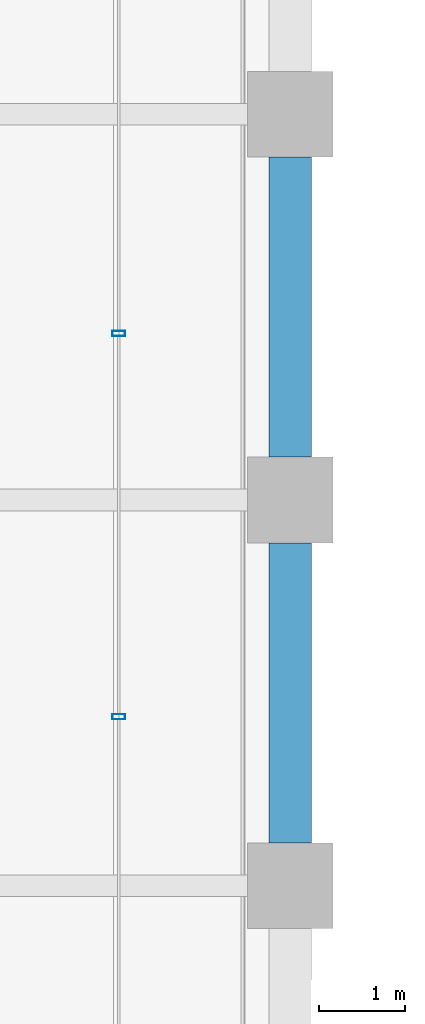
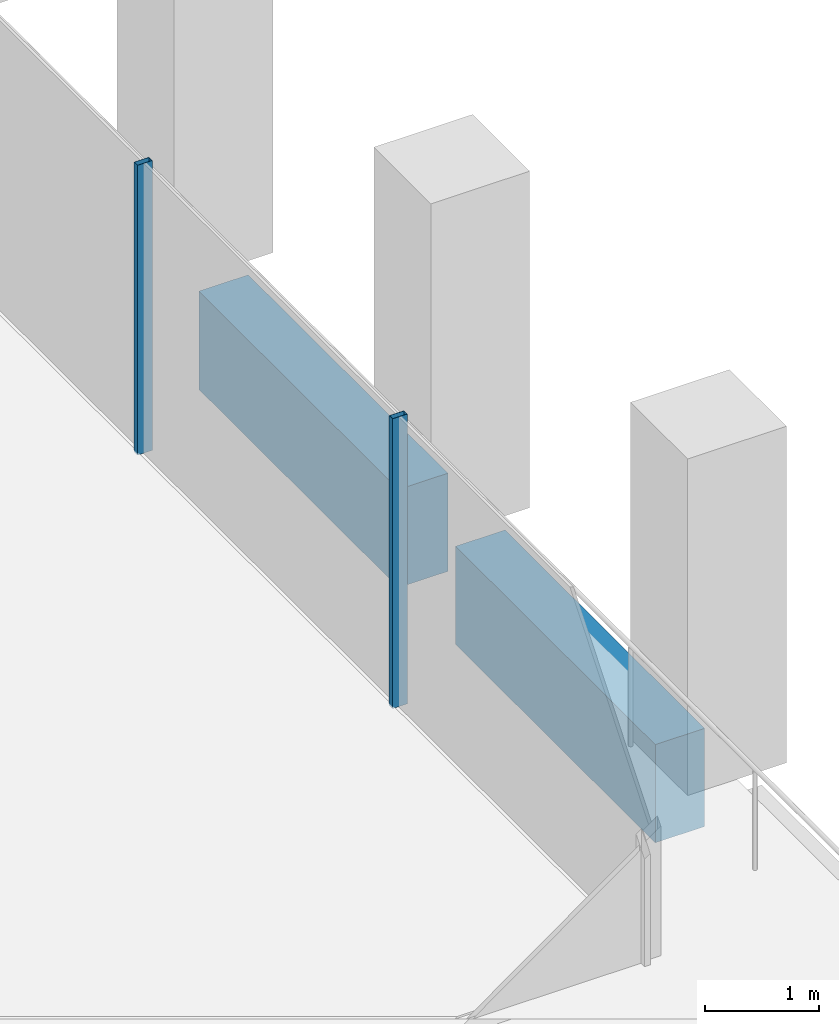
# One storey, part 15 of 46: 2 beams, 2 members, 1 element without a shape of its own.
"""IFC4 building model written with IfcOpenShell, lengths in metres."""

from ifc_helpers import new_model, si_unit, direction, frame, origin, origin_2d, place, context, subcontext, project, spatial, rectangle, hollow_rectangle, extrude, material, material_profile, profile_set, type_object, element, aggregate, save


model = new_model("IFC4")

# Units and contexts
model_context = context("Model", 3, precision=1e-05, world=origin(), true_north=direction((0.0, 1.0)))
body_context = subcontext(model_context, "Body", "Model", "MODEL_VIEW")
ifc_project = project(units=[si_unit("LENGTHUNIT", "METRE"), si_unit("AREAUNIT", "SQUARE_METRE"), si_unit("VOLUMEUNIT", "CUBIC_METRE"), si_unit("PLANEANGLEUNIT", "RADIAN"), si_unit("MASSUNIT", "GRAM", prefix="KILO")], contexts=[model_context])

# Site, building, storey
site_placement = place(None, origin())
site = spatial("IfcSite", under=ifc_project, at=site_placement, CompositionType="ELEMENT")
building_placement = place(site_placement, origin())
building = spatial("IfcBuilding", under=site, at=building_placement, Name="Altepetl Exchange Towers", CompositionType="ELEMENT")
storey_placement = place(building_placement, frame((0.0, 0.0, 124.39990234375)))
storey = spatial("IfcBuildingStorey", under=building, at=storey_placement, Name="L30", CompositionType="ELEMENT", Elevation=124.39990234375)

# Curtain wall, members
ifc_material_1 = material(Name="Aluminium 6063-T6 glazing", Category="aluminium")
curtain_wall_type = type_object("IfcCurtainWallType", Name="Loggia glazing system", PredefinedType="NOTDEFINED", material=ifc_material_1)
curtain_wall_placement = place(storey_placement, origin())
curtain_wall = element("IfcCurtainWall", 1, at=curtain_wall_placement, inside=storey, type_object=curtain_wall_type, Name="CW1 run", PredefinedType="NOTDEFINED")
ifc_material_2 = material(Name="Aluminium 6063-T6", Category="aluminium")
ifc_material_profile_1 = material_profile(ifc_material_2, hollow_rectangle(XDim=0.06005859375, YDim=0.14990234375, WallThickness=0.0029296875, at=origin_2d()), Name="Mullion 60x150 aluminium")
ifc_profile_set_1 = profile_set([ifc_material_profile_1], Name="Aluminium 6063-T6")
member_type = type_object("IfcMemberType", Name="Mullion 60x150 aluminium", PredefinedType="MULLION", material=ifc_profile_set_1)
member_1_placement = place(storey_placement, frame((70.0, 37.970947265625, 0.0), z_axis=(0.0, 0.0, 1.0), x_axis=(0.0, 1.0, 0.0)))
member_1 = element("IfcMember", 2, at=member_1_placement, type_object=member_type, Name="MU1 mullion", PredefinedType="MULLION", context=body_context, shape_type="SweptSolid", body=[
    extrude(hollow_rectangle(XDim=0.06005859375, YDim=0.14990234375, WallThickness=0.0029296875, at=origin_2d()), origin(), (0.0, 0.0, 1.0), 3.10009765625),
])
member_2_placement = place(storey_placement, frame((70.0, 42.44189453125, 0.0), z_axis=(0.0, 0.0, 1.0), x_axis=(0.0, 1.0, 0.0)))
member_2 = element("IfcMember", 3, at=member_2_placement, type_object=member_type, Name="MU1 mullion", PredefinedType="MULLION", context=body_context, shape_type="SweptSolid", body=[
    extrude(hollow_rectangle(XDim=0.06005859375, YDim=0.14990234375, WallThickness=0.0029296875, at=origin_2d()), origin(), (0.0, 0.0, 1.0), 3.10009765625),
])
aggregate(curtain_wall, [member_1, member_2])

# Beams
ifc_material_3 = material(Name="Concrete C50/60 precast with cantera amarilla facing", Category="concrete")
ifc_material_profile_2 = material_profile(ifc_material_3, rectangle(XDim=0.5, YDim=1.050048828125, at=origin_2d()), Name="500 x 1050")
ifc_profile_set_2 = profile_set([ifc_material_profile_2], Name="Concrete C50/60 precast with cantera amarilla facing")
beam_type = type_object("IfcBeamType", Name="Spandrel beam 500x1050 cantera amarilla", PredefinedType="SPANDREL", material=ifc_profile_set_2)
for number, where, z_axis, x_axis, name in (
    (4, (72.0, 36.5, -0.6748046875), (0.0, 1.0, 0.0), (-1.0, 0.0, 0.0), "sp:A:L30:013"),
    (5, (72.0, 41.0, -0.6748046875), (0.0, 1.0, 0.0), (-1.0, 0.0, 0.0), "sp:A:L30:014"),
):
    element("IfcBeam", number, at=place(storey_placement, frame(where, z_axis=z_axis, x_axis=x_axis)), inside=storey, type_object=beam_type, Name=name, PredefinedType="SPANDREL", context=body_context, shape_type="SweptSolid", body=[
        extrude(rectangle(XDim=0.5, YDim=1.050048828125, at=origin_2d()), origin(), (0.0, 0.0, 1.0), 3.5),
    ])

save(model, "model.ifc")
